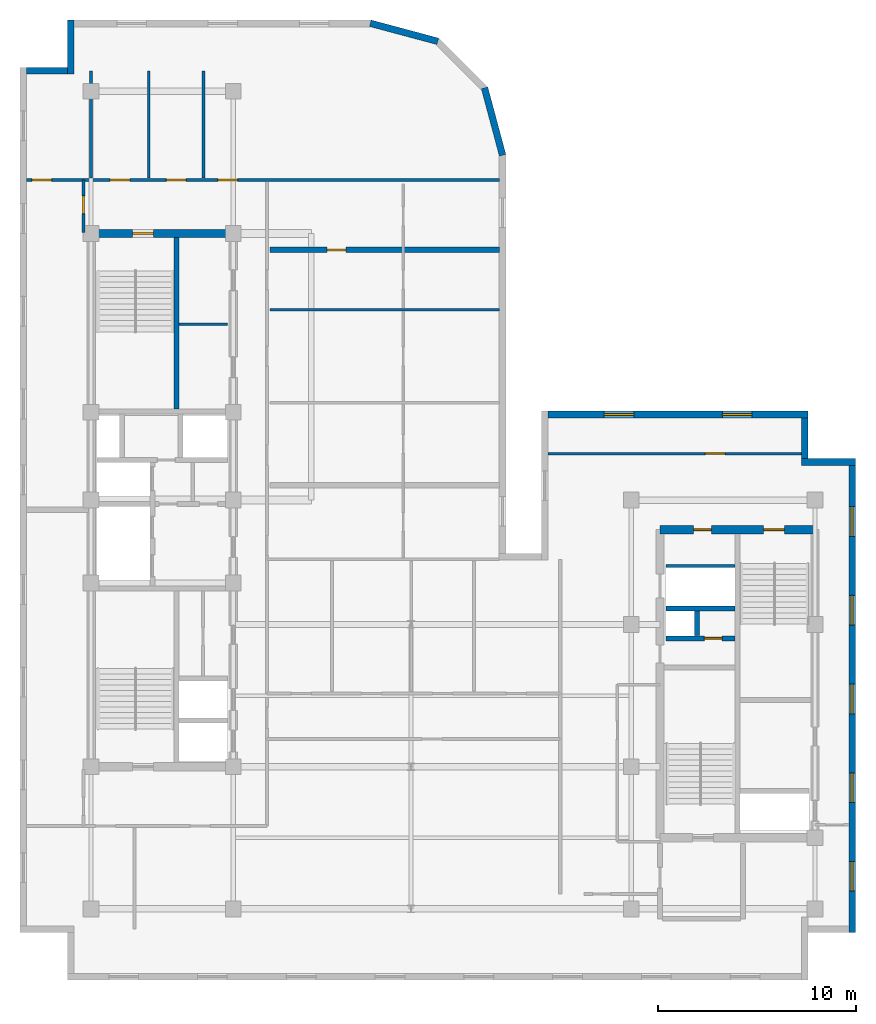
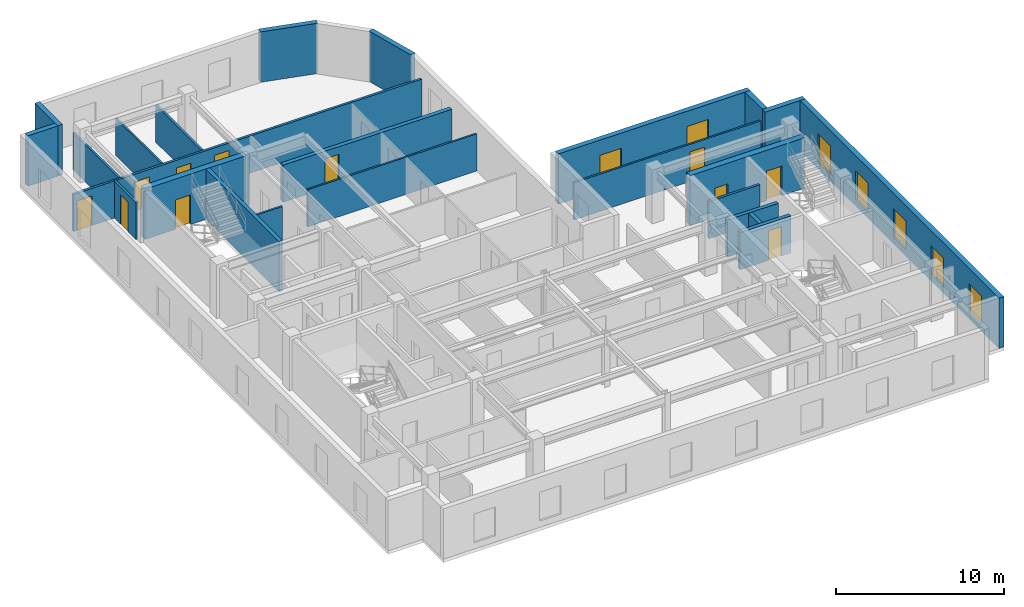
# One storey, part 6 of 10: 24 walls, 11 doors, 7 windows, 18 openings.
"""IFC4 building model written with IfcOpenShell, lengths in metres."""

from ifc_helpers import new_model, entity, si_unit, converted_unit, direction, frame, origin_with_axes, origin_2d_with_axis, place, context, subcontext, project, spatial, polyline, rectangle, outline, extrude, material, layer, layer_set, type_object, element, fill, save


model = new_model("IFC4")

# Units and contexts
model_context = context("Model", 3, precision=1e-05, world=origin_with_axes(), true_north=direction((0.0, 1.0)))
body_context = subcontext(model_context, "Body", "Model", "MODEL_VIEW")
ifc_project = project(units=[si_unit("LENGTHUNIT", "METRE"), si_unit("AREAUNIT", "SQUARE_METRE"), si_unit("VOLUMEUNIT", "CUBIC_METRE"), converted_unit("PLANEANGLEUNIT", "DEGREE", entity("IfcPlaneAngleMeasure", 0.017453292519943295), si_unit("PLANEANGLEUNIT", "RADIAN"), dimensions=[0, 0, 0, 0, 0, 0, 0]), si_unit("MASSUNIT", "GRAM", prefix="KILO"), si_unit("THERMODYNAMICTEMPERATUREUNIT", "KELVIN")], contexts=[model_context])

# Site, building, storey
site_placement = place(None, origin_with_axes())
site = spatial("IfcSite", under=ifc_project, at=site_placement, CompositionType="ELEMENT")
building_placement = place(site_placement, origin_with_axes())
building = spatial("IfcBuilding", under=site, at=building_placement, Name="Varnlund Millrace Tower", CompositionType="ELEMENT")
storey_placement = place(building_placement, frame((0.0, 0.0, 272.4), z_axis=(0.0, 0.0, 1.0), x_axis=(1.0, 0.0, 0.0)))
storey = spatial("IfcBuildingStorey", under=building, at=storey_placement, Name="L67", CompositionType="ELEMENT", Elevation=272.4)

# Wall, opening, door
ifc_material_1 = material(Name="Concrete C60/75", Category="concrete")
ifc_layer_1 = layer(ifc_material_1, 0.42, Name="Concrete C60/75")
ifc_layer_set_1 = layer_set([ifc_layer_1], Name="Concrete C60/75")
wall_type_1 = type_object("IfcWallType", Name="Type-CoreWall-Shear-420-C60", PredefinedType="SHEAR", material=ifc_layer_set_1)
wall_1_placement = place(storey_placement, frame((11.4, 37.8, 0.0), z_axis=(0.0, 0.0, 1.0), x_axis=(1.0, 0.0, 0.0)))
wall_1 = element("IfcWall", 1, at=wall_1_placement, inside=storey, type_object=wall_type_1, Name="Type-CoreWall-Shear-420-C60", PredefinedType="SHEAR", context=body_context, shape_type="SweptSolid", body=[
    extrude(outline(polyline([(0.0, -0.21), (7.2, -0.21), (7.2, 0.21), (0.0, 0.21), (0.0, -0.21)])), origin_with_axes(), (0.0, 0.0, 1.0), 3.66),
])
opening_1_placement = place(wall_1_placement, frame((2.625, 0.0, 0.0), z_axis=(0.0, 0.0, 1.0), x_axis=(1.0, 0.0, 0.0)))
opening_1 = element("IfcOpeningElement", 2, at=opening_1_placement, cuts=wall_1, Name="Opening L67:DR-STA2", PredefinedType="OPENING", context=body_context, shape_type="SweptSolid", body=[
    extrude(rectangle(XDim=1.05, YDim=0.44, at=origin_2d_with_axis()), origin_with_axes(), (0.0, 0.0, 1.0), 2.15),
])
ifc_material_2 = material(Name="Fire-rated hollow steel door", Category="steel")
door_type_1 = type_object("IfcDoorType", Name="Type-FireDoor-Stair-1050X2150", OperationType="NOTDEFINED", PredefinedType="DOOR", material=ifc_material_2)
door_1_placement = place(wall_1_placement, frame((2.625, 0.0, 0.0), z_axis=(0.0, 0.0, 1.0), x_axis=(1.0, 0.0, 0.0)))
door_1 = element("IfcDoor", 3, at=door_1_placement, inside=storey, type_object=door_type_1, Name="Type-FireDoor-Stair-1050X2150", OperationType="SINGLE_SWING_RIGHT", OverallHeight=2.15, OverallWidth=1.05, PredefinedType="DOOR", context=body_context, shape_type="SweptSolid", body=[
    extrude(rectangle(XDim=1.05, YDim=0.09, at=origin_2d_with_axis()), origin_with_axes(), (0.0, 0.0, 1.0), 2.15),
])
fill(opening_1, door_1)

# Wall, openings, doors
wall_2_placement = place(storey_placement, frame((40.2, 22.8, 0.0), z_axis=(0.0, 0.0, 1.0), x_axis=(1.0, 0.0, 0.0)))
wall_2 = element("IfcWall", 4, at=wall_2_placement, inside=storey, type_object=wall_type_1, Name="Type-CoreWall-Shear-420-C60", PredefinedType="SHEAR", context=body_context, shape_type="SweptSolid", body=[
    extrude(outline(polyline([(0.0, -0.21), (7.85, -0.21), (7.85, 0.21), (0.0, 0.21), (0.0, -0.21)])), origin_with_axes(), (0.0, 0.0, 1.0), 3.66),
])
opening_2_placement = place(wall_2_placement, frame((5.775, 0.0, 0.0), z_axis=(0.0, 0.0, 1.0), x_axis=(1.0, 0.0, 0.0)))
opening_2 = element("IfcOpeningElement", 5, at=opening_2_placement, cuts=wall_2, Name="Opening L67:DR-STB2", PredefinedType="OPENING", context=body_context, shape_type="SweptSolid", body=[
    extrude(rectangle(XDim=1.05, YDim=0.44, at=origin_2d_with_axis()), origin_with_axes(), (0.0, 0.0, 1.0), 2.15),
])
opening_3_placement = place(wall_2_placement, frame((2.15, 0.0, 0.0), z_axis=(0.0, 0.0, 1.0), x_axis=(1.0, 0.0, 0.0)))
opening_3 = element("IfcOpeningElement", 6, at=opening_3_placement, cuts=wall_2, Name="Opening L67:DR-CB-NW", PredefinedType="OPENING", context=body_context, shape_type="SweptSolid", body=[
    extrude(rectangle(XDim=0.9, YDim=0.44, at=origin_2d_with_axis()), origin_with_axes(), (0.0, 0.0, 1.0), 2.15),
])
ifc_material_3 = material(Name="Fire-rated hollow steel service closet door", Category="steel")
door_type_2 = type_object("IfcDoorType", Name="Type-FireDoor-Closet-900X2150", OperationType="NOTDEFINED", PredefinedType="DOOR", material=ifc_material_3)
door_2_placement = place(wall_2_placement, frame((2.15, 0.0, 0.0), z_axis=(0.0, 0.0, 1.0), x_axis=(1.0, 0.0, 0.0)))
door_2 = element("IfcDoor", 7, at=door_2_placement, inside=storey, type_object=door_type_2, Name="Type-FireDoor-Closet-900X2150", OperationType="SINGLE_SWING_LEFT", OverallHeight=2.15, OverallWidth=0.9, PredefinedType="DOOR", context=body_context, shape_type="SweptSolid", body=[
    extrude(rectangle(XDim=0.9, YDim=0.09, at=origin_2d_with_axis()), origin_with_axes(), (0.0, 0.0, 1.0), 2.15),
])
fill(opening_3, door_2)
door_3_placement = place(wall_2_placement, frame((5.775, 0.0, 0.0), z_axis=(0.0, 0.0, 1.0), x_axis=(1.0, 0.0, 0.0)))
door_3 = element("IfcDoor", 8, at=door_3_placement, inside=storey, type_object=door_type_1, Name="Type-FireDoor-Stair-1050X2150", OperationType="SINGLE_SWING_RIGHT", OverallHeight=2.15, OverallWidth=1.05, PredefinedType="DOOR", context=body_context, shape_type="SweptSolid", body=[
    extrude(rectangle(XDim=1.05, YDim=0.09, at=origin_2d_with_axis()), origin_with_axes(), (0.0, 0.0, 1.0), 2.15),
])
fill(opening_2, door_3)

# Wall, openings, windows
ifc_material_4 = material(Name="Precast concrete C50/60", Category="concrete")
ifc_layer_2 = layer(ifc_material_4, 0.34, Name="Precast concrete C50/60")
ifc_layer_set_2 = layer_set([ifc_layer_2], Name="Precast concrete C50/60")
wall_type_2 = type_object("IfcWallType", Name="Type-ExtWall-Precast-Upper-340", PredefinedType="SOLIDWALL", material=ifc_layer_set_2)
wall_3_placement = place(storey_placement, frame((34.54, 28.63, 0.0), z_axis=(0.0, 0.0, 1.0), x_axis=(1.0, 0.0, 0.0)))
wall_3 = element("IfcWall", 9, at=wall_3_placement, inside=storey, type_object=wall_type_2, Name="Type-ExtWall-Precast-Upper-340", PredefinedType="SOLIDWALL", context=body_context, shape_type="SweptSolid", body=[
    extrude(outline(polyline([(0.0, -0.17), (13.16, -0.17), (13.16, 0.17), (0.0, 0.17), (0.0, -0.17)])), origin_with_axes(), (0.0, 0.0, 1.0), 3.66),
])
opening_4_placement = place(wall_3_placement, frame((3.59, 0.0, 0.45), z_axis=(0.0, 0.0, 1.0), x_axis=(1.0, 0.0, 0.0)))
opening_4 = element("IfcOpeningElement", 10, at=opening_4_placement, cuts=wall_3, Name="Opening L67:WN-02", PredefinedType="OPENING", context=body_context, shape_type="SweptSolid", body=[
    extrude(rectangle(XDim=1.5, YDim=0.36, at=origin_2d_with_axis()), origin_with_axes(), (0.0, 0.0, 1.0), 2.1),
])
opening_5_placement = place(wall_3_placement, frame((9.57, 0.0, 0.45), z_axis=(0.0, 0.0, 1.0), x_axis=(1.0, 0.0, 0.0)))
opening_5 = element("IfcOpeningElement", 11, at=opening_5_placement, cuts=wall_3, Name="Opening L67:WN-03", PredefinedType="OPENING", context=body_context, shape_type="SweptSolid", body=[
    extrude(rectangle(XDim=1.5, YDim=0.36, at=origin_2d_with_axis()), origin_with_axes(), (0.0, 0.0, 1.0), 2.1),
])
ifc_material_5 = material(Name="Argon low-e triple glazing in thermally broken bronze frame", Category="glass")
window_type = type_object("IfcWindowType", Name="Type-Window-Punched-1500X2100", PartitioningType="SINGLE_PANEL", PredefinedType="WINDOW", material=ifc_material_5)
window_1_placement = place(wall_3_placement, frame((3.59, 0.0, 0.45), z_axis=(0.0, 0.0, 1.0), x_axis=(1.0, 0.0, 0.0)))
window_1 = element("IfcWindow", 12, at=window_1_placement, inside=storey, type_object=window_type, Name="Type-Window-Punched-1500X2100", OverallHeight=2.1, OverallWidth=1.5, PredefinedType="WINDOW", context=body_context, shape_type="SweptSolid", body=[
    extrude(rectangle(XDim=1.5, YDim=0.09, at=origin_2d_with_axis()), origin_with_axes(), (0.0, 0.0, 1.0), 2.1),
])
fill(opening_4, window_1)
window_2_placement = place(wall_3_placement, frame((9.57, 0.0, 0.45), z_axis=(0.0, 0.0, 1.0), x_axis=(1.0, 0.0, 0.0)))
window_2 = element("IfcWindow", 13, at=window_2_placement, inside=storey, type_object=window_type, Name="Type-Window-Punched-1500X2100", OverallHeight=2.1, OverallWidth=1.5, PredefinedType="WINDOW", context=body_context, shape_type="SweptSolid", body=[
    extrude(rectangle(XDim=1.5, YDim=0.09, at=origin_2d_with_axis()), origin_with_axes(), (0.0, 0.0, 1.0), 2.1),
])
fill(opening_5, window_2)

# Walls
wall_4_placement = place(storey_placement, frame((47.53, 28.46, 0.0), z_axis=(0.0, 0.0, 1.0), x_axis=(0.0, -1.0, 0.0)))
element("IfcWall", 14, at=wall_4_placement, inside=storey, type_object=wall_type_2, Name="Type-ExtWall-Precast-Upper-340", PredefinedType="SOLIDWALL", context=body_context, shape_type="SweptSolid", body=[
    extrude(outline(polyline([(0.0, -0.17), (2.06, -0.17), (2.06, 0.17), (0.0, 0.17), (0.0, -0.17)])), origin_with_axes(), (0.0, 0.0, 1.0), 3.66),
])
wall_5_placement = place(storey_placement, frame((47.36, 26.23, 0.0), z_axis=(0.0, 0.0, 1.0), x_axis=(1.0, 0.0, 0.0)))
element("IfcWall", 15, at=wall_5_placement, inside=storey, type_object=wall_type_2, Name="Type-ExtWall-Precast-Upper-340", PredefinedType="SOLIDWALL", context=body_context, shape_type="SweptSolid", body=[
    extrude(outline(polyline([(0.0, -0.17), (2.74, -0.17), (2.74, 0.17), (0.0, 0.17), (0.0, -0.17)])), origin_with_axes(), (0.0, 0.0, 1.0), 3.66),
])

# Wall, openings, windows
wall_6_placement = place(storey_placement, frame((49.93, 26.06, 0.0), z_axis=(0.0, 0.0, 1.0), x_axis=(0.0, -1.0, 0.0)))
wall_6 = element("IfcWall", 16, at=wall_6_placement, inside=storey, type_object=wall_type_2, Name="Type-ExtWall-Precast-Upper-340", PredefinedType="SOLIDWALL", context=body_context, shape_type="SweptSolid", body=[
    extrude(outline(polyline([(0.0, -0.17), (23.66, -0.17), (23.66, 0.17), (0.0, 0.17), (0.0, -0.17)])), origin_with_axes(), (0.0, 0.0, 1.0), 3.66),
])
opening_6_placement = place(wall_6_placement, frame((2.846, 0.0, 0.45), z_axis=(0.0, 0.0, 1.0), x_axis=(1.0, 0.0, 0.0)))
opening_6 = element("IfcOpeningElement", 17, at=opening_6_placement, cuts=wall_6, Name="Opening L67:WN-04", PredefinedType="OPENING", context=body_context, shape_type="SweptSolid", body=[
    extrude(rectangle(XDim=1.5, YDim=0.36, at=origin_2d_with_axis()), origin_with_axes(), (0.0, 0.0, 1.0), 2.1),
])
opening_7_placement = place(wall_6_placement, frame((7.338, 0.0, 0.45), z_axis=(0.0, 0.0, 1.0), x_axis=(1.0, 0.0, 0.0)))
opening_7 = element("IfcOpeningElement", 18, at=opening_7_placement, cuts=wall_6, Name="Opening L67:WN-05", PredefinedType="OPENING", context=body_context, shape_type="SweptSolid", body=[
    extrude(rectangle(XDim=1.5, YDim=0.36, at=origin_2d_with_axis()), origin_with_axes(), (0.0, 0.0, 1.0), 2.1),
])
opening_8_placement = place(wall_6_placement, frame((11.83, 0.0, 0.45), z_axis=(0.0, 0.0, 1.0), x_axis=(1.0, 0.0, 0.0)))
opening_8 = element("IfcOpeningElement", 19, at=opening_8_placement, cuts=wall_6, Name="Opening L67:WN-06", PredefinedType="OPENING", context=body_context, shape_type="SweptSolid", body=[
    extrude(rectangle(XDim=1.5, YDim=0.36, at=origin_2d_with_axis()), origin_with_axes(), (0.0, 0.0, 1.0), 2.1),
])
opening_9_placement = place(wall_6_placement, frame((16.322, 0.0, 0.45), z_axis=(0.0, 0.0, 1.0), x_axis=(1.0, 0.0, 0.0)))
opening_9 = element("IfcOpeningElement", 20, at=opening_9_placement, cuts=wall_6, Name="Opening L67:WN-07", PredefinedType="OPENING", context=body_context, shape_type="SweptSolid", body=[
    extrude(rectangle(XDim=1.5, YDim=0.36, at=origin_2d_with_axis()), origin_with_axes(), (0.0, 0.0, 1.0), 2.1),
])
opening_10_placement = place(wall_6_placement, frame((20.814, 0.0, 0.45), z_axis=(0.0, 0.0, 1.0), x_axis=(1.0, 0.0, 0.0)))
opening_10 = element("IfcOpeningElement", 21, at=opening_10_placement, cuts=wall_6, Name="Opening L67:WN-08", PredefinedType="OPENING", context=body_context, shape_type="SweptSolid", body=[
    extrude(rectangle(XDim=1.5, YDim=0.36, at=origin_2d_with_axis()), origin_with_axes(), (0.0, 0.0, 1.0), 2.1),
])
window_3_placement = place(wall_6_placement, frame((2.846, 0.0, 0.45), z_axis=(0.0, 0.0, 1.0), x_axis=(1.0, 0.0, 0.0)))
window_3 = element("IfcWindow", 22, at=window_3_placement, inside=storey, type_object=window_type, Name="Type-Window-Punched-1500X2100", OverallHeight=2.1, OverallWidth=1.5, PredefinedType="WINDOW", context=body_context, shape_type="SweptSolid", body=[
    extrude(rectangle(XDim=1.5, YDim=0.09, at=origin_2d_with_axis()), origin_with_axes(), (0.0, 0.0, 1.0), 2.1),
])
fill(opening_6, window_3)
window_4_placement = place(wall_6_placement, frame((7.338, 0.0, 0.45), z_axis=(0.0, 0.0, 1.0), x_axis=(1.0, 0.0, 0.0)))
window_4 = element("IfcWindow", 23, at=window_4_placement, inside=storey, type_object=window_type, Name="Type-Window-Punched-1500X2100", OverallHeight=2.1, OverallWidth=1.5, PredefinedType="WINDOW", context=body_context, shape_type="SweptSolid", body=[
    extrude(rectangle(XDim=1.5, YDim=0.09, at=origin_2d_with_axis()), origin_with_axes(), (0.0, 0.0, 1.0), 2.1),
])
fill(opening_7, window_4)
window_5_placement = place(wall_6_placement, frame((11.83, 0.0, 0.45), z_axis=(0.0, 0.0, 1.0), x_axis=(1.0, 0.0, 0.0)))
window_5 = element("IfcWindow", 24, at=window_5_placement, inside=storey, type_object=window_type, Name="Type-Window-Punched-1500X2100", OverallHeight=2.1, OverallWidth=1.5, PredefinedType="WINDOW", context=body_context, shape_type="SweptSolid", body=[
    extrude(rectangle(XDim=1.5, YDim=0.09, at=origin_2d_with_axis()), origin_with_axes(), (0.0, 0.0, 1.0), 2.1),
])
fill(opening_8, window_5)
window_6_placement = place(wall_6_placement, frame((16.322, 0.0, 0.45), z_axis=(0.0, 0.0, 1.0), x_axis=(1.0, 0.0, 0.0)))
window_6 = element("IfcWindow", 25, at=window_6_placement, inside=storey, type_object=window_type, Name="Type-Window-Punched-1500X2100", OverallHeight=2.1, OverallWidth=1.5, PredefinedType="WINDOW", context=body_context, shape_type="SweptSolid", body=[
    extrude(rectangle(XDim=1.5, YDim=0.09, at=origin_2d_with_axis()), origin_with_axes(), (0.0, 0.0, 1.0), 2.1),
])
fill(opening_9, window_6)
window_7_placement = place(wall_6_placement, frame((20.814, 0.0, 0.45), z_axis=(0.0, 0.0, 1.0), x_axis=(1.0, 0.0, 0.0)))
window_7 = element("IfcWindow", 26, at=window_7_placement, inside=storey, type_object=window_type, Name="Type-Window-Punched-1500X2100", OverallHeight=2.1, OverallWidth=1.5, PredefinedType="WINDOW", context=body_context, shape_type="SweptSolid", body=[
    extrude(rectangle(XDim=1.5, YDim=0.09, at=origin_2d_with_axis()), origin_with_axes(), (0.0, 0.0, 1.0), 2.1),
])
fill(opening_10, window_7)

# Walls
wall_7_placement = place(storey_placement, frame((8.14, 46.03, 0.0), z_axis=(0.0, 0.0, 1.0), x_axis=(1.0, 0.0, 0.0)))
element("IfcWall", 27, at=wall_7_placement, inside=storey, type_object=wall_type_2, Name="Type-ExtWall-Precast-Upper-340", PredefinedType="SOLIDWALL", context=body_context, shape_type="SweptSolid", body=[
    extrude(outline(polyline([(0.0, -0.17), (2.06, -0.17), (2.06, 0.17), (0.0, 0.17), (0.0, -0.17)])), origin_with_axes(), (0.0, 0.0, 1.0), 3.66),
])
wall_8_placement = place(storey_placement, frame((10.37, 45.86, 0.0), z_axis=(0.0, 0.0, 1.0), x_axis=(0.0, 1.0, 0.0)))
element("IfcWall", 28, at=wall_8_placement, inside=storey, type_object=wall_type_2, Name="Type-ExtWall-Precast-Upper-340", PredefinedType="SOLIDWALL", context=body_context, shape_type="SweptSolid", body=[
    extrude(outline(polyline([(0.0, -0.17), (2.74, -0.17), (2.74, 0.17), (0.0, 0.17), (0.0, -0.17)])), origin_with_axes(), (0.0, 0.0, 1.0), 3.66),
])
for number, where, z_axis, x_axis, name in (
    (29, (25.537, 48.441, 0.0), (0.0, 0.0, 1.0), (0.965934, -0.258788, 0.0), "Type-ExtWall-Precast-Upper-340"),
    (30, (31.32, 45.175, 0.0), (0.0, 0.0, 1.0), (0.258788, -0.965934, 0.0), "Type-ExtWall-Precast-Upper-340"),
):
    element("IfcWall", number, at=place(storey_placement, frame(where, z_axis=z_axis, x_axis=x_axis)), inside=storey, type_object=wall_type_2, Name=name, PredefinedType="SOLIDWALL", context=body_context, shape_type="SweptSolid", body=[
        extrude(outline(polyline([(0.0, -0.17), (3.539579, -0.17), (3.539579, 0.17), (0.0, 0.17), (0.0, -0.17)])), origin_with_axes(), (0.0, 0.0, 1.0), 3.66),
    ])

# Wall, opening, door
ifc_material_6 = material(Name="Double-stud STC-60 conference acoustic partition", Category="gypsum")
ifc_layer_3 = layer(ifc_material_6, 0.28, Name="Double-stud STC-60 conference acoustic partition")
ifc_layer_set_3 = layer_set([ifc_layer_3], Name="Double-stud STC-60 conference acoustic partition")
wall_type_3 = type_object("IfcWallType", Name="Type-Partition-Acoustic-280", PredefinedType="PARTITIONING", material=ifc_layer_set_3)
wall_9_placement = place(storey_placement, frame((20.45, 36.964, 0.0), z_axis=(0.0, 0.0, 1.0), x_axis=(1.0, 0.0, 0.0)))
wall_9 = element("IfcWall", 31, at=wall_9_placement, inside=storey, type_object=wall_type_3, Name="Type-Partition-Acoustic-280", PredefinedType="PARTITIONING", context=body_context, shape_type="SweptSolid", body=[
    extrude(outline(polyline([(0.0, -0.14), (11.615, -0.14), (11.615, 0.14), (0.0, 0.14), (0.0, -0.14)])), origin_with_axes(), (0.0, 0.0, 1.0), 2.7),
])
opening_11_placement = place(wall_9_placement, frame((3.375, 0.0, 0.0), z_axis=(0.0, 0.0, 1.0), x_axis=(1.0, 0.0, 0.0)))
opening_11 = element("IfcOpeningElement", 32, at=opening_11_placement, cuts=wall_9, Name="Opening L67:DR-FLR-05", PredefinedType="OPENING", context=body_context, shape_type="SweptSolid", body=[
    extrude(rectangle(XDim=0.95, YDim=0.3, at=origin_2d_with_axis()), origin_with_axes(), (0.0, 0.0, 1.0), 2.15),
])
ifc_material_7 = material(Name="Solid-core acoustic office door")
door_type_3 = type_object("IfcDoorType", Name="Type-IntDoor-Tenant-950X2150", OperationType="NOTDEFINED", PredefinedType="DOOR", material=ifc_material_7)
door_4_placement = place(wall_9_placement, frame((3.375, 0.0, 0.0), z_axis=(0.0, 0.0, 1.0), x_axis=(1.0, 0.0, 0.0)))
door_4 = element("IfcDoor", 33, at=door_4_placement, inside=storey, type_object=door_type_3, Name="Type-IntDoor-Tenant-950X2150", OperationType="SINGLE_SWING_LEFT", OverallHeight=2.15, OverallWidth=0.95, PredefinedType="DOOR", context=body_context, shape_type="SweptSolid", body=[
    extrude(rectangle(XDim=0.95, YDim=0.09, at=origin_2d_with_axis()), origin_with_axes(), (0.0, 0.0, 1.0), 2.15),
])
fill(opening_11, door_4)

# Wall
ifc_material_8 = material(Name="Fire-rated gypsum board on cold-formed steel framing", Category="steel")
ifc_layer_4 = layer(ifc_material_8, 0.16, Name="Fire-rated gypsum board on cold-formed steel framing")
ifc_layer_set_4 = layer_set([ifc_layer_4], Name="Fire-rated gypsum board on cold-formed steel framing")
wall_type_4 = type_object("IfcWallType", Name="Type-Partition-Corridor-160", PredefinedType="PARTITIONING", material=ifc_layer_set_4)
wall_10_placement = place(storey_placement, frame((40.5, 20.96, 0.0), z_axis=(0.0, 0.0, 1.0), x_axis=(1.0, 0.0, 0.0)))
element("IfcWall", 34, at=wall_10_placement, inside=storey, type_object=wall_type_4, Name="Type-Partition-Corridor-160", PredefinedType="PARTITIONING", context=body_context, shape_type="SweptSolid", body=[
    extrude(outline(polyline([(0.0, -0.08), (3.5, -0.08), (3.5, 0.08), (0.0, 0.08), (0.0, -0.08)])), origin_with_axes(), (0.0, 0.0, 1.0), 2.7),
])

# Wall, openings, doors
wall_11_placement = place(storey_placement, frame((8.135, 40.5, 0.0), z_axis=(0.0, 0.0, 1.0), x_axis=(1.0, 0.0, 0.0)))
wall_11 = element("IfcWall", 35, at=wall_11_placement, inside=storey, type_object=wall_type_4, Name="Type-Partition-Corridor-160", PredefinedType="PARTITIONING", context=body_context, shape_type="SweptSolid", body=[
    extrude(outline(polyline([(0.0, -0.08), (23.93, -0.08), (23.93, 0.08), (0.0, 0.08), (0.0, -0.08)])), origin_with_axes(), (0.0, 0.0, 1.0), 2.7),
])
opening_12_placement = place(wall_11_placement, frame((0.76, 0.0, 0.0), z_axis=(0.0, 0.0, 1.0), x_axis=(1.0, 0.0, 0.0)))
opening_12 = element("IfcOpeningElement", 36, at=opening_12_placement, cuts=wall_11, Name="Opening L67:DR-WAN-01", PredefinedType="OPENING", context=body_context, shape_type="SweptSolid", body=[
    extrude(rectangle(XDim=1.0, YDim=0.18, at=origin_2d_with_axis()), origin_with_axes(), (0.0, 0.0, 1.0), 2.15),
])
opening_13_placement = place(wall_11_placement, frame((4.7295, 0.0, 0.0), z_axis=(0.0, 0.0, 1.0), x_axis=(1.0, 0.0, 0.0)))
opening_13 = element("IfcOpeningElement", 37, at=opening_13_placement, cuts=wall_11, Name="Opening L67:DR-WAN-02", PredefinedType="OPENING", context=body_context, shape_type="SweptSolid", body=[
    extrude(rectangle(XDim=1.0, YDim=0.18, at=origin_2d_with_axis()), origin_with_axes(), (0.0, 0.0, 1.0), 2.15),
])
opening_14_placement = place(wall_11_placement, frame((7.5735, 0.0, 0.0), z_axis=(0.0, 0.0, 1.0), x_axis=(1.0, 0.0, 0.0)))
opening_14 = element("IfcOpeningElement", 38, at=opening_14_placement, cuts=wall_11, Name="Opening L67:DR-WAN-03", PredefinedType="OPENING", context=body_context, shape_type="SweptSolid", body=[
    extrude(rectangle(XDim=1.0, YDim=0.18, at=origin_2d_with_axis()), origin_with_axes(), (0.0, 0.0, 1.0), 2.15),
])
opening_15_placement = place(wall_11_placement, frame((10.189, 0.0, 0.0), z_axis=(0.0, 0.0, 1.0), x_axis=(1.0, 0.0, 0.0)))
opening_15 = element("IfcOpeningElement", 39, at=opening_15_placement, cuts=wall_11, Name="Opening L67:DR-WAN-04", PredefinedType="OPENING", context=body_context, shape_type="SweptSolid", body=[
    extrude(rectangle(XDim=1.0, YDim=0.18, at=origin_2d_with_axis()), origin_with_axes(), (0.0, 0.0, 1.0), 2.15),
])
ifc_material_9 = material(Name="Solid-core white oak and bronze frame door")
door_type_4 = type_object("IfcDoorType", Name="Type-IntDoor-Office-1000X2150", OperationType="NOTDEFINED", PredefinedType="DOOR", material=ifc_material_9)
door_5_placement = place(wall_11_placement, frame((0.76, 0.0, 0.0), z_axis=(0.0, 0.0, 1.0), x_axis=(1.0, 0.0, 0.0)))
door_5 = element("IfcDoor", 40, at=door_5_placement, inside=storey, type_object=door_type_4, Name="Type-IntDoor-Office-1000X2150", OperationType="SINGLE_SWING_LEFT", OverallHeight=2.15, OverallWidth=1.0, PredefinedType="DOOR", context=body_context, shape_type="SweptSolid", body=[
    extrude(rectangle(XDim=1.0, YDim=0.09, at=origin_2d_with_axis()), origin_with_axes(), (0.0, 0.0, 1.0), 2.15),
])
fill(opening_12, door_5)
door_6_placement = place(wall_11_placement, frame((4.7295, 0.0, 0.0), z_axis=(0.0, 0.0, 1.0), x_axis=(1.0, 0.0, 0.0)))
door_6 = element("IfcDoor", 41, at=door_6_placement, inside=storey, type_object=door_type_4, Name="Type-IntDoor-Office-1000X2150", OperationType="SINGLE_SWING_RIGHT", OverallHeight=2.15, OverallWidth=1.0, PredefinedType="DOOR", context=body_context, shape_type="SweptSolid", body=[
    extrude(rectangle(XDim=1.0, YDim=0.09, at=origin_2d_with_axis()), origin_with_axes(), (0.0, 0.0, 1.0), 2.15),
])
fill(opening_13, door_6)
door_7_placement = place(wall_11_placement, frame((7.5735, 0.0, 0.0), z_axis=(0.0, 0.0, 1.0), x_axis=(1.0, 0.0, 0.0)))
door_7 = element("IfcDoor", 42, at=door_7_placement, inside=storey, type_object=door_type_4, Name="Type-IntDoor-Office-1000X2150", OperationType="SINGLE_SWING_LEFT", OverallHeight=2.15, OverallWidth=1.0, PredefinedType="DOOR", context=body_context, shape_type="SweptSolid", body=[
    extrude(rectangle(XDim=1.0, YDim=0.09, at=origin_2d_with_axis()), origin_with_axes(), (0.0, 0.0, 1.0), 2.15),
])
fill(opening_14, door_7)
door_8_placement = place(wall_11_placement, frame((10.189, 0.0, 0.0), z_axis=(0.0, 0.0, 1.0), x_axis=(1.0, 0.0, 0.0)))
door_8 = element("IfcDoor", 43, at=door_8_placement, inside=storey, type_object=door_type_4, Name="Type-IntDoor-Office-1000X2150", OperationType="SINGLE_SWING_RIGHT", OverallHeight=2.15, OverallWidth=1.0, PredefinedType="DOOR", context=body_context, shape_type="SweptSolid", body=[
    extrude(rectangle(XDim=1.0, YDim=0.09, at=origin_2d_with_axis()), origin_with_axes(), (0.0, 0.0, 1.0), 2.15),
])
fill(opening_15, door_8)

# Wall, opening, door
wall_12_placement = place(storey_placement, frame((11.02, 37.85, 0.0), z_axis=(0.0, 0.0, 1.0), x_axis=(0.0, 1.0, 0.0)))
wall_12 = element("IfcWall", 44, at=wall_12_placement, inside=storey, type_object=wall_type_4, Name="Type-Partition-Corridor-160", PredefinedType="PARTITIONING", context=body_context, shape_type="SweptSolid", body=[
    extrude(outline(polyline([(0.0, -0.08), (2.65, -0.08), (2.65, 0.08), (0.0, 0.08), (0.0, -0.08)])), origin_with_axes(), (0.0, 0.0, 1.0), 2.7),
])
opening_16_placement = place(wall_12_placement, frame((1.4, 0.0, 0.0), z_axis=(0.0, 0.0, 1.0), x_axis=(1.0, 0.0, 0.0)))
opening_16 = element("IfcOpeningElement", 45, at=opening_16_placement, cuts=wall_12, Name="Opening L67:DR-WU-N1", PredefinedType="OPENING", context=body_context, shape_type="SweptSolid", body=[
    extrude(rectangle(XDim=0.9, YDim=0.18, at=origin_2d_with_axis()), origin_with_axes(), (0.0, 0.0, 1.0), 2.15),
])
ifc_material_10 = material(Name="Painted steel riser and closet door", Category="steel")
door_type_5 = type_object("IfcDoorType", Name="Type-IntDoor-Closet-900X2150", OperationType="NOTDEFINED", PredefinedType="DOOR", material=ifc_material_10)
door_9_placement = place(wall_12_placement, frame((1.4, 0.0, 0.0), z_axis=(0.0, 0.0, 1.0), x_axis=(1.0, 0.0, 0.0)))
door_9 = element("IfcDoor", 46, at=door_9_placement, inside=storey, type_object=door_type_5, Name="Type-IntDoor-Closet-900X2150", OperationType="SINGLE_SWING_RIGHT", OverallHeight=2.15, OverallWidth=0.9, PredefinedType="DOOR", context=body_context, shape_type="SweptSolid", body=[
    extrude(rectangle(XDim=0.9, YDim=0.09, at=origin_2d_with_axis()), origin_with_axes(), (0.0, 0.0, 1.0), 2.15),
])
fill(opening_16, door_9)

# Walls
ifc_material_11 = material(Name="Acoustic STC-50 gypsum board partition", Category="gypsum")
ifc_layer_5 = layer(ifc_material_11, 0.15, Name="Acoustic STC-50 gypsum board partition")
ifc_layer_set_5 = layer_set([ifc_layer_5], Name="Acoustic STC-50 gypsum board partition")
wall_type_5 = type_object("IfcWallType", Name="Type-Partition-Demising-150", PredefinedType="PARTITIONING", material=ifc_layer_set_5)
for number, where, z_axis, x_axis, name in (
    (47, (11.4, 40.6, 0.0), (0.0, 0.0, 1.0), (0.0, 1.0, 0.0), "Type-Partition-Demising-150"),
    (48, (17.088, 40.6, 0.0), (0.0, 0.0, 1.0), (0.0, 1.0, 0.0), "Type-Partition-Demising-150"),
):
    element("IfcWall", number, at=place(storey_placement, frame(where, z_axis=z_axis, x_axis=x_axis)), inside=storey, type_object=wall_type_5, Name=name, PredefinedType="PARTITIONING", context=body_context, shape_type="SweptSolid", body=[
        extrude(outline(polyline([(0.0, -0.075), (5.42, -0.075), (5.42, 0.075), (0.0, 0.075), (0.0, -0.075)])), origin_with_axes(), (0.0, 0.0, 1.0), 2.7),
    ])
ifc_material_12 = material(Name="Gypsum board tenant partition", Category="gypsum")
ifc_layer_6 = layer(ifc_material_12, 0.125, Name="Gypsum board tenant partition")
ifc_layer_set_6 = layer_set([ifc_layer_6], Name="Gypsum board tenant partition")
wall_type_6 = type_object("IfcWallType", Name="Type-Partition-Tenant-125", PredefinedType="PARTITIONING", material=ifc_layer_set_6)
wall_13_placement = place(storey_placement, frame((14.329, 40.6, 0.0), z_axis=(0.0, 0.0, 1.0), x_axis=(0.0, 1.0, 0.0)))
element("IfcWall", 49, at=wall_13_placement, inside=storey, type_object=wall_type_6, Name="Type-Partition-Tenant-125", PredefinedType="PARTITIONING", context=body_context, shape_type="SweptSolid", body=[
    extrude(outline(polyline([(0.0, -0.0625), (5.42, -0.0625), (5.42, 0.0625), (0.0, 0.0625), (0.0, -0.0625)])), origin_with_axes(), (0.0, 0.0, 1.0), 2.7),
])
wall_14_placement = place(storey_placement, frame((20.45, 33.939, 0.0), z_axis=(0.0, 0.0, 1.0), x_axis=(1.0, 0.0, 0.0)))
element("IfcWall", 50, at=wall_14_placement, inside=storey, type_object=wall_type_6, Name="Type-Partition-Tenant-125", PredefinedType="PARTITIONING", context=body_context, shape_type="SweptSolid", body=[
    extrude(outline(polyline([(0.0, -0.0625), (11.615, -0.0625), (11.615, 0.0625), (0.0, 0.0625), (0.0, -0.0625)])), origin_with_axes(), (0.0, 0.0, 1.0), 2.7),
])

# Wall, opening, door
wall_15_placement = place(storey_placement, frame((34.535, 26.65, 0.0), z_axis=(0.0, 0.0, 1.0), x_axis=(1.0, 0.0, 0.0)))
wall_15 = element("IfcWall", 51, at=wall_15_placement, inside=storey, type_object=wall_type_6, Name="Type-Partition-Tenant-125", PredefinedType="PARTITIONING", context=body_context, shape_type="SweptSolid", body=[
    extrude(outline(polyline([(0.0, -0.0625), (12.995, -0.0625), (12.995, 0.0625), (0.0, 0.0625), (0.0, -0.0625)])), origin_with_axes(), (0.0, 0.0, 1.0), 2.7),
])
opening_17_placement = place(wall_15_placement, frame((8.465, 0.0, 0.0), z_axis=(0.0, 0.0, 1.0), x_axis=(1.0, 0.0, 0.0)))
opening_17 = element("IfcOpeningElement", 52, at=opening_17_placement, cuts=wall_15, Name="Opening L67:DR-WBN-01", PredefinedType="OPENING", context=body_context, shape_type="SweptSolid", body=[
    extrude(rectangle(XDim=1.0, YDim=0.145, at=origin_2d_with_axis()), origin_with_axes(), (0.0, 0.0, 1.0), 2.15),
])
door_10_placement = place(wall_15_placement, frame((8.465, 0.0, 0.0), z_axis=(0.0, 0.0, 1.0), x_axis=(1.0, 0.0, 0.0)))
door_10 = element("IfcDoor", 53, at=door_10_placement, inside=storey, type_object=door_type_4, Name="Type-IntDoor-Office-1000X2150", OperationType="SINGLE_SWING_RIGHT", OverallHeight=2.15, OverallWidth=1.0, PredefinedType="DOOR", context=body_context, shape_type="SweptSolid", body=[
    extrude(rectangle(XDim=1.0, YDim=0.075, at=origin_2d_with_axis()), origin_with_axes(), (0.0, 0.0, 1.0), 2.15),
])
fill(opening_17, door_10)

# Wall
ifc_material_13 = material(Name="Moisture-resistant gypsum restroom partition", Category="gypsum")
ifc_layer_7 = layer(ifc_material_13, 0.14, Name="Moisture-resistant gypsum restroom partition")
ifc_layer_set_7 = layer_set([ifc_layer_7], Name="Moisture-resistant gypsum restroom partition")
wall_type_7 = type_object("IfcWallType", Name="Type-Partition-Wet-140", PredefinedType="PARTITIONING", material=ifc_layer_set_7)
wall_16_placement = place(storey_placement, frame((15.84, 33.2, 0.0), z_axis=(0.0, 0.0, 1.0), x_axis=(1.0, 0.0, 0.0)))
element("IfcWall", 54, at=wall_16_placement, inside=storey, type_object=wall_type_7, Name="Type-Partition-Wet-140", PredefinedType="PARTITIONING", context=body_context, shape_type="SweptSolid", body=[
    extrude(outline(polyline([(0.0, -0.07), (2.46, -0.07), (2.46, 0.07), (0.0, 0.07), (0.0, -0.07)])), origin_with_axes(), (0.0, 0.0, 1.0), 2.7),
])

# Wall, opening, door
ifc_layer_8 = layer(ifc_material_1, 0.25, Name="Concrete C60/75")
ifc_layer_set_8 = layer_set([ifc_layer_8], Name="Concrete C60/75")
wall_type_8 = type_object("IfcWallType", Name="Type-ShaftWall-Fire-250", PredefinedType="SOLIDWALL", material=ifc_layer_set_8)
wall_17_placement = place(storey_placement, frame((40.5, 17.3, 0.0), z_axis=(0.0, 0.0, 1.0), x_axis=(1.0, 0.0, 0.0)))
wall_17 = element("IfcWall", 55, at=wall_17_placement, inside=storey, type_object=wall_type_8, Name="Type-ShaftWall-Fire-250", PredefinedType="SOLIDWALL", context=body_context, shape_type="SweptSolid", body=[
    extrude(outline(polyline([(0.0, -0.125), (3.5, -0.125), (3.5, 0.125), (0.0, 0.125), (0.0, -0.125)])), origin_with_axes(), (0.0, 0.0, 1.0), 2.7),
])
opening_18_placement = place(wall_17_placement, frame((2.4, 0.0, 0.0), z_axis=(0.0, 0.0, 1.0), x_axis=(1.0, 0.0, 0.0)))
opening_18 = element("IfcOpeningElement", 56, at=opening_18_placement, cuts=wall_17, Name="Opening L67:DR-CB-ELC", PredefinedType="OPENING", context=body_context, shape_type="SweptSolid", body=[
    extrude(rectangle(XDim=0.9, YDim=0.27, at=origin_2d_with_axis()), origin_with_axes(), (0.0, 0.0, 1.0), 2.15),
])
door_11_placement = place(wall_17_placement, frame((2.4, 0.0, 0.0), z_axis=(0.0, 0.0, 1.0), x_axis=(1.0, 0.0, 0.0)))
door_11 = element("IfcDoor", 57, at=door_11_placement, inside=storey, type_object=door_type_2, Name="Type-FireDoor-Closet-900X2150", OperationType="SINGLE_SWING_LEFT", OverallHeight=2.15, OverallWidth=0.9, PredefinedType="DOOR", context=body_context, shape_type="SweptSolid", body=[
    extrude(rectangle(XDim=0.9, YDim=0.09, at=origin_2d_with_axis()), origin_with_axes(), (0.0, 0.0, 1.0), 2.15),
])
fill(opening_18, door_11)

# Walls
wall_18_placement = place(storey_placement, frame((40.5, 18.8, 0.0), z_axis=(0.0, 0.0, 1.0), x_axis=(1.0, 0.0, 0.0)))
element("IfcWall", 58, at=wall_18_placement, inside=storey, type_object=wall_type_8, Name="Type-ShaftWall-Fire-250", PredefinedType="SOLIDWALL", context=body_context, shape_type="SweptSolid", body=[
    extrude(outline(polyline([(0.0, -0.125), (3.5, -0.125), (3.5, 0.125), (0.0, 0.125), (0.0, -0.125)])), origin_with_axes(), (0.0, 0.0, 1.0), 2.7),
])
wall_19_placement = place(storey_placement, frame((42.075, 17.43, 0.0), z_axis=(0.0, 0.0, 1.0), x_axis=(0.0, 1.0, 0.0)))
element("IfcWall", 59, at=wall_19_placement, inside=storey, type_object=wall_type_8, Name="Type-ShaftWall-Fire-250", PredefinedType="SOLIDWALL", context=body_context, shape_type="SweptSolid", body=[
    extrude(outline(polyline([(0.0, -0.125), (1.24, -0.125), (1.24, 0.125), (0.0, 0.125), (0.0, -0.125)])), origin_with_axes(), (0.0, 0.0, 1.0), 2.7),
])
wall_type_9 = type_object("IfcWallType", Name="Type-StairWall-Shear-250", PredefinedType="SHEAR", material=ifc_layer_set_8)
wall_20_placement = place(storey_placement, frame((15.725, 28.9, 0.0), z_axis=(0.0, 0.0, 1.0), x_axis=(0.0, 1.0, 0.0)))
element("IfcWall", 60, at=wall_20_placement, inside=storey, type_object=wall_type_9, Name="Type-StairWall-Shear-250", PredefinedType="SHEAR", context=body_context, shape_type="SweptSolid", body=[
    extrude(outline(polyline([(0.0, -0.125), (8.69, -0.125), (8.69, 0.125), (0.0, 0.125), (0.0, -0.125)])), origin_with_axes(), (0.0, 0.0, 1.0), 3.66),
])

save(model, "model.ifc")
